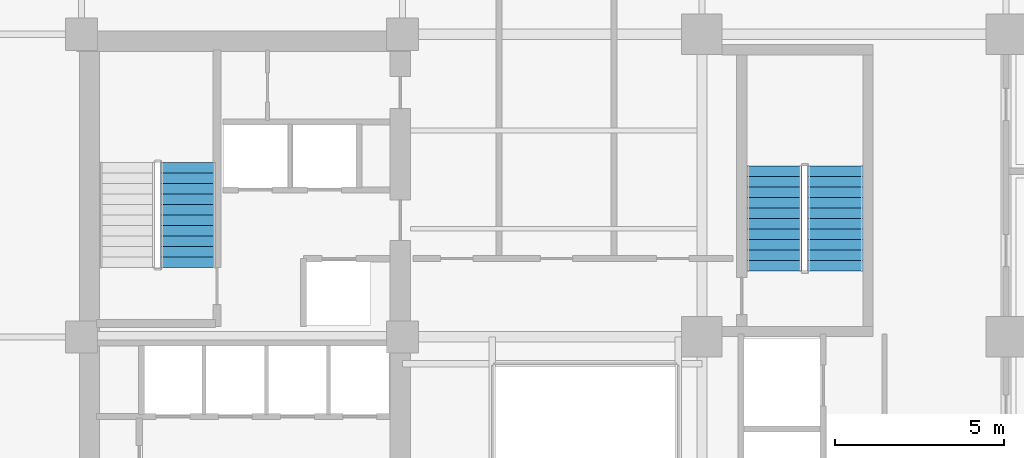
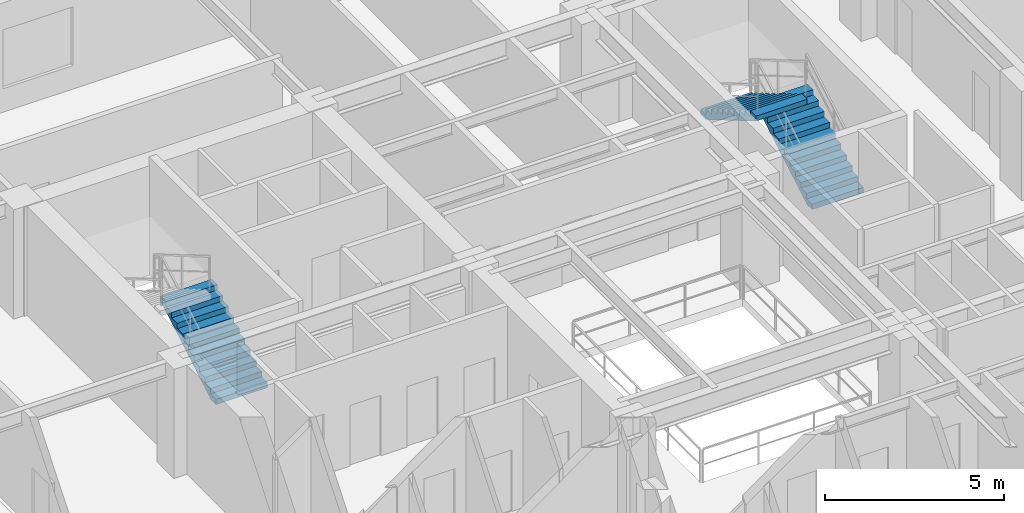
# One storey, part 7 of 14: 3 stair flights, 2 elements without a shape of their own.
"""IFC4 building model written with IfcOpenShell, lengths in metres."""

from ifc_helpers import new_model, si_unit, direction, frame, origin, place, context, subcontext, project, spatial, polyline, outline, extrude, material, type_object, element, aggregate, save


model = new_model("IFC4")

# Units and contexts
model_context = context("Model", 3, precision=1e-05, world=origin(), true_north=direction((0.0, 1.0)))
body_context = subcontext(model_context, "Body", "Model", "MODEL_VIEW")
ifc_project = project(units=[si_unit("LENGTHUNIT", "METRE"), si_unit("AREAUNIT", "SQUARE_METRE"), si_unit("VOLUMEUNIT", "CUBIC_METRE"), si_unit("PLANEANGLEUNIT", "RADIAN"), si_unit("MASSUNIT", "GRAM", prefix="KILO")], contexts=[model_context])

# Site, building, storey
site_placement = place(None, origin())
site = spatial("IfcSite", under=ifc_project, at=site_placement, CompositionType="ELEMENT")
building_placement = place(site_placement, origin())
building = spatial("IfcBuilding", under=site, at=building_placement, Name="Kundavana Baori Tower", CompositionType="ELEMENT")
storey_placement = place(building_placement, frame((0.0, 0.0, 74.0)))
storey = spatial("IfcBuildingStorey", under=building, at=storey_placement, Name="L17", CompositionType="ELEMENT", Elevation=74.0)

# Stair, stair flight
ifc_material_1 = material(Name="Concrete C40/50", Category="concrete")
stair_type = type_object("IfcStairType", Name="STR-DOG-1650", PredefinedType="HALF_TURN_STAIR", material=ifc_material_1)
stair_1_placement = place(storey_placement, origin())
stair_1 = element("IfcStair", 1, at=stair_1_placement, inside=storey, type_object=stair_type, Name="L17 Protected Exit Stair ST2", PredefinedType="HALF_TURN_STAIR")
ifc_material_2 = material(Name="Concrete C40/50", Category="concrete")
stair_flight_type = type_object("IfcStairFlightType", Name="SFL-RC-1650", PredefinedType="STRAIGHT", material=ifc_material_2)
stair_flight_1_placement = place(storey_placement, frame((18.614990234375, 35.050048828125, 0.0), z_axis=(0.0, 0.0, 1.0), x_axis=(0.0, 1.0, 0.0)))
stair_flight_1 = element("IfcStairFlight", 2, at=stair_flight_1_placement, type_object=stair_flight_type, Name="ST2 flight 1", NumberOfRisers=11, NumberOfTreads=10, PredefinedType="STRAIGHT", RiserHeight=0.181818182, TreadLength=0.31, context=body_context, shape_type="SweptSolid", body=[
    extrude(outline(polyline([(0.0, 0.0), (0.0, 0.181884765625), (0.31005859375, 0.181884765625), (0.31005859375, 0.363525390625), (0.6201171875, 0.363525390625), (0.6201171875, 0.54541015625), (0.929931640625, 0.54541015625), (0.929931640625, 0.727294921875), (1.239990234375, 0.727294921875), (1.239990234375, 0.9091796875), (1.550048828125, 0.9091796875), (1.550048828125, 1.0908203125), (1.860107421875, 1.0908203125), (1.860107421875, 1.272705078125), (2.169921875, 1.272705078125), (2.169921875, 1.45458984375), (2.47998046875, 1.45458984375), (2.47998046875, 1.636474609375), (2.7900390625, 1.636474609375), (2.7900390625, 1.818115234375), (3.10009765625, 1.818115234375), (3.10009765625, 2.0), (3.10009765625, 1.644287109375), (0.29638671875, 0.0), (0.0, 0.0)])), frame((0.0, 0.824951171875, 0.0), z_axis=(0.0, -1.0, 0.0), x_axis=(1.0, 0.0, 0.0)), (0.0, 0.0, 1.0), 1.64990234375),
])
aggregate(stair_1, [stair_flight_1])

# Stair, stair flights
stair_2_placement = place(storey_placement, origin())
stair_2 = element("IfcStair", 3, at=stair_2_placement, inside=storey, type_object=stair_type, Name="L17 Protected Exit Stair ST3", PredefinedType="HALF_TURN_STAIR")
stair_flight_2_placement = place(storey_placement, frame((37.7548828125, 34.949951171875, 0.0), z_axis=(0.0, 0.0, 1.0), x_axis=(0.0, 1.0, 0.0)))
stair_flight_2 = element("IfcStairFlight", 4, at=stair_flight_2_placement, type_object=stair_flight_type, Name="ST3 flight 1", NumberOfRisers=11, NumberOfTreads=10, PredefinedType="STRAIGHT", RiserHeight=0.181818182, TreadLength=0.31, context=body_context, shape_type="SweptSolid", body=[
    extrude(outline(polyline([(0.0, 0.0), (0.0, 0.181884765625), (0.31005859375, 0.181884765625), (0.31005859375, 0.363525390625), (0.6201171875, 0.363525390625), (0.6201171875, 0.54541015625), (0.929931640625, 0.54541015625), (0.929931640625, 0.727294921875), (1.239990234375, 0.727294921875), (1.239990234375, 0.9091796875), (1.550048828125, 0.9091796875), (1.550048828125, 1.0908203125), (1.860107421875, 1.0908203125), (1.860107421875, 1.272705078125), (2.169921875, 1.272705078125), (2.169921875, 1.45458984375), (2.47998046875, 1.45458984375), (2.47998046875, 1.636474609375), (2.7900390625, 1.636474609375), (2.7900390625, 1.818115234375), (3.10009765625, 1.818115234375), (3.10009765625, 2.0), (3.10009765625, 1.644287109375), (0.29638671875, 0.0), (0.0, 0.0)])), frame((0.0, 0.824951171875, 0.0), z_axis=(0.0, -1.0, 0.0), x_axis=(1.0, 0.0, 0.0)), (0.0, 0.0, 1.0), 1.64990234375),
])
stair_flight_3_placement = place(storey_placement, frame((35.945068359375, 38.050048828125, 2.0), z_axis=(0.0, 0.0, 1.0), x_axis=(0.0, -1.0, 0.0)))
stair_flight_3 = element("IfcStairFlight", 5, at=stair_flight_3_placement, type_object=stair_flight_type, Name="ST3 flight 2", NumberOfRisers=11, NumberOfTreads=10, PredefinedType="STRAIGHT", RiserHeight=0.181818182, TreadLength=0.31, context=body_context, shape_type="SweptSolid", body=[
    extrude(outline(polyline([(0.0, 0.0), (0.0, 0.181884765625), (0.31005859375, 0.181884765625), (0.31005859375, 0.363525390625), (0.6201171875, 0.363525390625), (0.6201171875, 0.54541015625), (0.929931640625, 0.54541015625), (0.929931640625, 0.727294921875), (1.239990234375, 0.727294921875), (1.239990234375, 0.9091796875), (1.550048828125, 0.9091796875), (1.550048828125, 1.0908203125), (1.860107421875, 1.0908203125), (1.860107421875, 1.272705078125), (2.169921875, 1.272705078125), (2.169921875, 1.45458984375), (2.47998046875, 1.45458984375), (2.47998046875, 1.636474609375), (2.7900390625, 1.636474609375), (2.7900390625, 1.818115234375), (3.10009765625, 1.818115234375), (3.10009765625, 2.0), (3.10009765625, 1.644287109375), (0.29638671875, 0.0), (0.0, 0.0)])), frame((0.0, 0.824951171875, 0.0), z_axis=(0.0, -1.0, 0.0), x_axis=(1.0, 0.0, 0.0)), (0.0, 0.0, 1.0), 1.64990234375),
])
aggregate(stair_2, [stair_flight_2, stair_flight_3])

save(model, "model.ifc")
